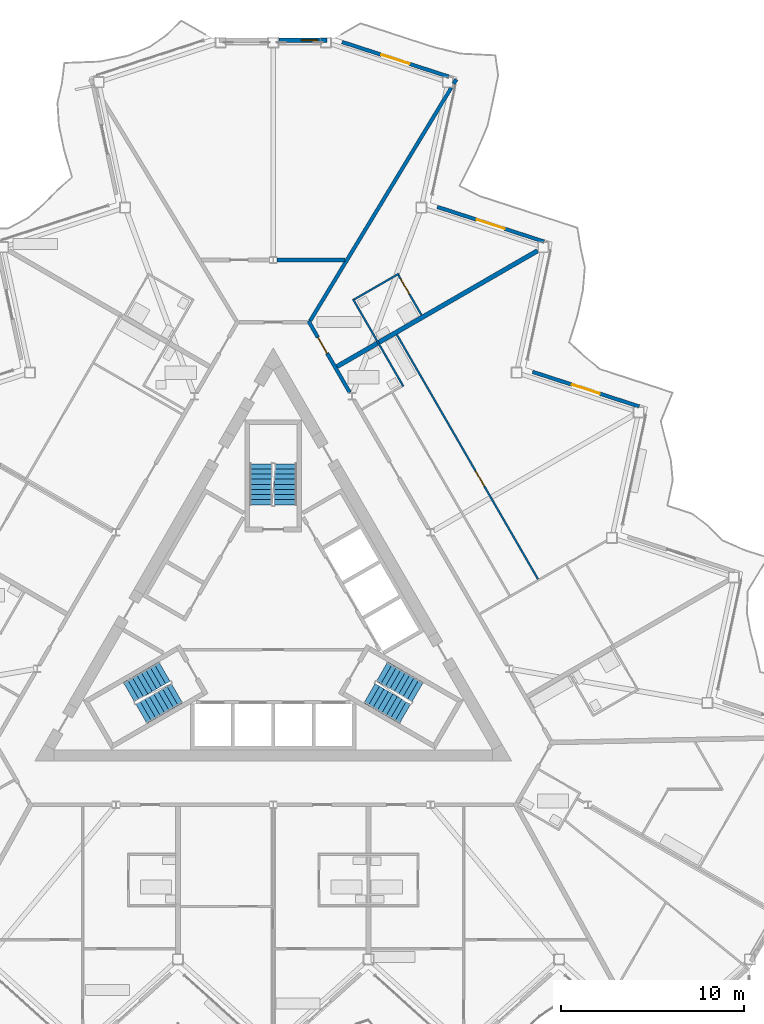
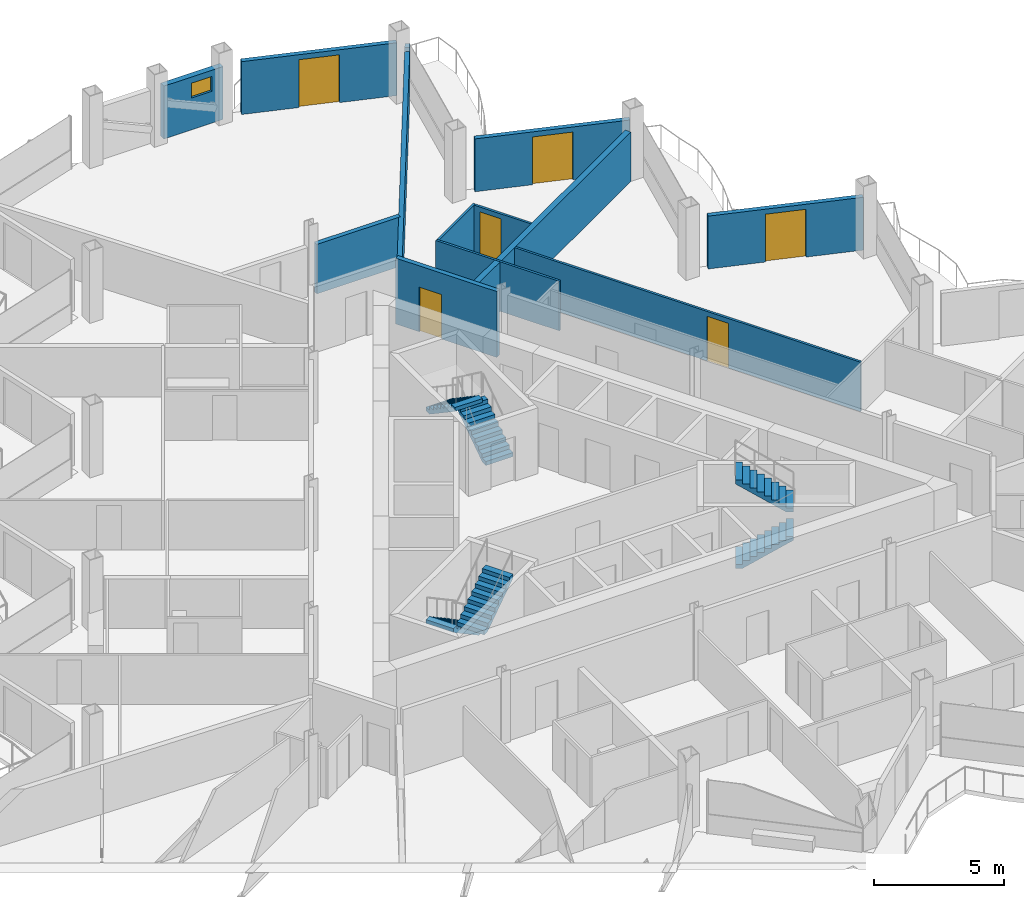
# One storey, part 19 of 27: 13 walls, 6 doors, 6 stair flights, 1 window, 7 openings, 3 elements without a shape of their own.
"""IFC4 building model written with IfcOpenShell, lengths in metres."""

from ifc_helpers import new_model, si_unit, direction, frame, frame_2d, origin, place, context, subcontext, project, spatial, polyline, rectangle, outline, extrude, material, layer, layer_set, type_object, element, fill, aggregate, save


model = new_model("IFC4")

# Units and contexts
model_context = context("Model", 3, precision=1e-05, world=origin(), true_north=direction((0.0, 1.0)))
body_context = subcontext(model_context, "Body", "Model", "MODEL_VIEW")
ifc_project = project(units=[si_unit("LENGTHUNIT", "METRE"), si_unit("AREAUNIT", "SQUARE_METRE"), si_unit("VOLUMEUNIT", "CUBIC_METRE"), si_unit("PLANEANGLEUNIT", "RADIAN"), si_unit("MASSUNIT", "GRAM", prefix="KILO")], contexts=[model_context])

# Site, building, storey
site_placement = place(None, origin())
site = spatial("IfcSite", under=ifc_project, at=site_placement, CompositionType="ELEMENT")
building_placement = place(site_placement, origin())
building = spatial("IfcBuilding", under=site, at=building_placement, Name="Cormorant Prow Tower", CompositionType="ELEMENT")
storey_placement = place(building_placement, frame((0.0, 0.0, 315.39990234375)))
storey = spatial("IfcBuildingStorey", under=building, at=storey_placement, Name="L69", CompositionType="ELEMENT", Elevation=315.39990234375)

# Wall, opening, door
ifc_material_1 = material(Name="Gypsum board corridor wall")
ifc_layer_1 = layer(ifc_material_1, 0.199951171875)
ifc_layer_set_1 = layer_set([ifc_layer_1], Name="Gypsum board corridor wall")
wall_type_1 = type_object("IfcWallType", Name="Corridor wall 200", PredefinedType="PARTITIONING", material=ifc_layer_set_1)
wall_1_placement = place(storey_placement, frame((1.9130859375, 16.497802734375, 0.0), z_axis=(0.0, 0.0, 1.0), x_axis=(0.499950370306, -0.866054055606, 0.0)))
wall_1 = element("IfcWall", 1, at=wall_1_placement, inside=storey, type_object=wall_type_1, Name="Corridor wall", PredefinedType="PARTITIONING", context=body_context, shape_type="SweptSolid", body=[
    extrude(rectangle(XDim=4.5126953125, YDim=0.199951171875, at=frame_2d((2.25634765625, 0.0))), origin(), (0.0, 0.0, 1.0), 3.10009765625),
])
opening_1_placement = place(wall_1_placement, frame((1.053466796875, 0.0, 0.0)))
opening_1 = element("IfcOpeningElement", 2, at=opening_1_placement, cuts=wall_1, Name="Opening L69-F31", PredefinedType="OPENING", context=body_context, shape_type="SweptSolid", body=[
    extrude(rectangle(XDim=1.0, YDim=2.10009765625, at=frame_2d((0.5, 1.050048828125))), frame((0.0, 0.10986328125, 0.0), z_axis=(0.0, -1.0, 0.0), x_axis=(1.0, 0.0, 0.0)), (0.0, 0.0, 1.0), 0.219970703125),
])
ifc_material_2 = material(Name="Timber door leaf", Category="wood")
door_type_1 = type_object("IfcDoorType", Name="Flat or room entrance door 1000x2100", OperationType="NOTDEFINED", PredefinedType="DOOR", material=ifc_material_2)
door_1_placement = place(opening_1_placement, origin())
door_1 = element("IfcDoor", 3, at=door_1_placement, inside=storey, type_object=door_type_1, Name="Studio living, kitchen and sleeping room door", OperationType="SINGLE_SWING_RIGHT", OverallHeight=2.10009765625, OverallWidth=1.0, PredefinedType="DOOR", context=body_context, shape_type="SweptSolid", body=[
    extrude(rectangle(XDim=1.0, YDim=2.10009765625, at=frame_2d((0.5, 1.050048828125))), frame((0.0, 0.02490234375, 0.0), z_axis=(0.0, -1.0, 0.0), x_axis=(1.0, 0.0, 0.0)), (0.0, 0.0, 1.0), 0.050048828125),
])
fill(opening_1, door_1)

# Walls
ifc_material_3 = material(Name="Gypsum board demising wall")
ifc_layer_2 = layer(ifc_material_3, 0.199951171875)
ifc_layer_set_2 = layer_set([ifc_layer_2], Name="Gypsum board demising wall")
wall_type_2 = type_object("IfcWallType", Name="Demising wall 200", PredefinedType="PARTITIONING", material=ifc_layer_set_2)
wall_2_placement = place(storey_placement, frame((2.014892578125, 16.49658203125, 0.0), z_axis=(0.0, 0.0, 1.0), x_axis=(0.517779253395, 0.855514257482, 0.0)))
element("IfcWall", 4, at=wall_2_placement, inside=storey, type_object=wall_type_2, Name="Demising wall", PredefinedType="PARTITIONING", context=body_context, shape_type="SweptSolid", body=[
    extrude(rectangle(XDim=14.853759765625, YDim=0.199951171875, at=frame_2d((7.4267578125, 0.0))), origin(), (0.0, 0.0, 1.0), 2.330078125),
])
wall_3_placement = place(storey_placement, frame((0.207763671875, 19.81103515625, 0.0), z_axis=(0.0, 0.0, 1.0), x_axis=(1.0, 0.0, 0.0)))
element("IfcWall", 5, at=wall_3_placement, inside=storey, type_object=wall_type_2, Name="Demising wall", PredefinedType="PARTITIONING", context=body_context, shape_type="SweptSolid", body=[
    extrude(rectangle(XDim=3.71826171875, YDim=0.199951171875, at=frame_2d((1.859130859375, 0.0))), origin(), (0.0, 0.0, 1.0), 2.330078125),
])
wall_4_placement = place(storey_placement, frame((9.83740234375, 29.421630859375, 0.0), z_axis=(0.0, 0.0, 1.0), x_axis=(0.517419338909, 0.855731983581, 0.0)))
element("IfcWall", 6, at=wall_4_placement, inside=storey, type_object=wall_type_2, Name="Demising wall", PredefinedType="PARTITIONING", context=body_context, shape_type="SweptSolid", body=[
    extrude(rectangle(XDim=0.2822265625, YDim=0.199951171875, at=frame_2d((0.14111328125, 0.0))), origin(), (0.0, 0.0, 1.0), 2.330078125),
])

# Wall, opening, door
ifc_material_4 = material(Name="Gypsum board partition")
ifc_layer_3 = layer(ifc_material_4, 0.10009765625)
ifc_layer_set_3 = layer_set([ifc_layer_3], Name="Gypsum board partition")
wall_type_3 = type_object("IfcWallType", Name="Internal partition 100", PredefinedType="PARTITIONING", material=ifc_layer_set_3)
wall_5_placement = place(storey_placement, frame((6.73974609375, 15.7392578125, 0.0), z_axis=(0.0, 0.0, 1.0), x_axis=(0.499995022685, -0.86602827742, 0.0)))
wall_5 = element("IfcWall", 7, at=wall_5_placement, inside=storey, type_object=wall_type_3, Name="Internal partition", PredefinedType="PARTITIONING", context=body_context, shape_type="SweptSolid", body=[
    extrude(rectangle(XDim=15.403564453125, YDim=0.10009765625, at=frame_2d((7.70166015625, 0.0))), origin(), (0.0, 0.0, 1.0), 2.330078125),
])
opening_2_placement = place(wall_5_placement, frame((8.58203125, 0.0, 0.0)))
opening_2 = element("IfcOpeningElement", 8, at=opening_2_placement, cuts=wall_5, Name="Opening L69-F28", PredefinedType="OPENING", context=body_context, shape_type="SweptSolid", body=[
    extrude(rectangle(XDim=0.949951171875, YDim=2.10009765625, at=frame_2d((0.47509765625, 1.050048828125))), frame((0.0, 0.06005859375, 0.0), z_axis=(0.0, -1.0, 0.0), x_axis=(1.0, 0.0, 0.0)), (0.0, 0.0, 1.0), 0.1201171875),
])
ifc_material_5 = material(Name="Timber door leaf", Category="wood")
door_type_2 = type_object("IfcDoorType", Name="Bathroom door 950x2100", OperationType="NOTDEFINED", PredefinedType="DOOR", material=ifc_material_5)
door_2_placement = place(opening_2_placement, origin())
door_2 = element("IfcDoor", 9, at=door_2_placement, inside=storey, type_object=door_type_2, Name="Kitchen door", OperationType="SINGLE_SWING_LEFT", OverallHeight=2.10009765625, OverallWidth=0.949951171875, PredefinedType="DOOR", context=body_context, shape_type="SweptSolid", body=[
    extrude(rectangle(XDim=0.949951171875, YDim=2.10009765625, at=frame_2d((0.47509765625, 1.050048828125))), frame((0.0, 0.02490234375, 0.0), z_axis=(0.0, -1.0, 0.0), x_axis=(1.0, 0.0, 0.0)), (0.0, 0.0, 1.0), 0.050048828125),
])
fill(opening_2, door_2)

# Walls
wall_6_placement = place(storey_placement, frame((4.348876953125, 17.6787109375, 0.0), z_axis=(0.0, 0.0, 1.0), x_axis=(0.49997732567, -0.866038494419, 0.0)))
element("IfcWall", 10, at=wall_6_placement, inside=storey, type_object=wall_type_3, Name="Internal partition", PredefinedType="PARTITIONING", context=body_context, shape_type="SweptSolid", body=[
    extrude(rectangle(XDim=5.500244140625, YDim=0.10009765625, at=frame_2d((2.75, 0.0))), origin(), (0.0, 0.0, 1.0), 2.330078125),
])
wall_7_placement = place(storey_placement, frame((4.417236328125, 17.660400390625, 0.0), z_axis=(0.0, 0.0, 1.0), x_axis=(0.866034573852, 0.49998411664, 0.0)))
element("IfcWall", 11, at=wall_7_placement, inside=storey, type_object=wall_type_3, Name="Internal partition", PredefinedType="PARTITIONING", context=body_context, shape_type="SweptSolid", body=[
    extrude(rectangle(XDim=2.7998046875, YDim=0.10009765625, at=frame_2d((1.39990234375, 0.0))), origin(), (0.0, 0.0, 1.0), 2.330078125),
])

# Wall, opening, door
wall_8_placement = place(storey_placement, frame((6.82373046875, 18.991943359375, 0.0), z_axis=(0.0, 0.0, 1.0), x_axis=(0.50001820224, -0.866014894461, 0.0)))
wall_8 = element("IfcWall", 12, at=wall_8_placement, inside=storey, type_object=wall_type_3, Name="Internal partition", PredefinedType="PARTITIONING", context=body_context, shape_type="SweptSolid", body=[
    extrude(rectangle(XDim=2.52490234375, YDim=0.10009765625, at=frame_2d((1.262451171875, 0.0))), origin(), (0.0, 0.0, 1.0), 2.330078125),
])
opening_3_placement = place(wall_8_placement, frame((0.25, 0.0, 0.0)))
opening_3 = element("IfcOpeningElement", 13, at=opening_3_placement, cuts=wall_8, Name="Opening L69-F32", PredefinedType="OPENING", context=body_context, shape_type="SweptSolid", body=[
    extrude(rectangle(XDim=0.949951171875, YDim=2.10009765625, at=frame_2d((0.47509765625, 1.050048828125))), frame((0.0, 0.06005859375, 0.0), z_axis=(0.0, -1.0, 0.0), x_axis=(1.0, 0.0, 0.0)), (0.0, 0.0, 1.0), 0.1201171875),
])
door_3_placement = place(opening_3_placement, origin())
door_3 = element("IfcDoor", 14, at=door_3_placement, inside=storey, type_object=door_type_2, Name="Studio living, kitchen and sleeping room door", OperationType="SINGLE_SWING_LEFT", OverallHeight=2.10009765625, OverallWidth=0.949951171875, PredefinedType="DOOR", context=body_context, shape_type="SweptSolid", body=[
    extrude(rectangle(XDim=0.949951171875, YDim=2.10009765625, at=frame_2d((0.47509765625, 1.050048828125))), frame((0.0, 0.02490234375, 0.0), z_axis=(0.0, -1.0, 0.0), x_axis=(1.0, 0.0, 0.0)), (0.0, 0.0, 1.0), 0.050048828125),
])
fill(opening_3, door_3)

# Wall
ifc_material_6 = material(Name="Acoustic gypsum party wall")
ifc_layer_4 = layer(ifc_material_6, 0.25)
ifc_layer_set_4 = layer_set([ifc_layer_4], Name="Acoustic gypsum party wall")
wall_type_4 = type_object("IfcWallType", Name="Suite party wall 250", PredefinedType="PARTITIONING", material=ifc_layer_set_4)
wall_9_placement = place(storey_placement, frame((3.47216796875, 13.9970703125, 0.0), z_axis=(0.0, 0.0, 1.0), x_axis=(0.866029233976, 0.499993365855, 0.0)))
element("IfcWall", 15, at=wall_9_placement, inside=storey, type_object=wall_type_4, Name="Suite party wall", PredefinedType="PARTITIONING", context=body_context, shape_type="SweptSolid", body=[
    extrude(rectangle(XDim=12.637451171875, YDim=0.25, at=frame_2d((6.31884765625, 0.0))), origin(), (0.0, 0.0, 1.0), 2.330078125),
])

# Wall, opening, window
ifc_material_7 = material(Name="Terracotta", Category="masonry")
ifc_layer_5 = layer(ifc_material_7, 0.25)
ifc_layer_set_5 = layer_set([ifc_layer_5], Name="Terracotta")
wall_type_5 = type_object("IfcWallType", Name="Terracotta bay wall 250", PredefinedType="SOLIDWALL", material=ifc_layer_set_5)
wall_10_placement = place(storey_placement, frame((2.940185546875, 31.803955078125, 0.0), z_axis=(0.0, 0.0, 1.0), x_axis=(-1.0, 0.0, 0.0)))
wall_10 = element("IfcWall", 16, at=wall_10_placement, inside=storey, type_object=wall_type_5, Name="Terracotta bay wall N00", PredefinedType="SOLIDWALL", context=body_context, shape_type="SweptSolid", body=[
    extrude(rectangle(XDim=2.64013671875, YDim=0.25, at=frame_2d((1.320068359375, 0.0))), origin(), (0.0, 0.0, 1.0), 2.488037109375),
])
opening_4_placement = place(wall_10_placement, frame((0.5, 0.0, 1.5)))
opening_4 = element("IfcOpeningElement", 17, at=opening_4_placement, cuts=wall_10, Name="Opening WN8", PredefinedType="OPENING", context=body_context, shape_type="SweptSolid", body=[
    extrude(rectangle(XDim=0.89990234375, YDim=0.699951171875, at=frame_2d((0.449951171875, 0.35009765625))), frame((0.0, 0.135009765625, 0.0), z_axis=(0.0, -1.0, 0.0), x_axis=(1.0, 0.0, 0.0)), (0.0, 0.0, 1.0), 0.27001953125),
])
ifc_material_8 = material(Name="Aluminium 6063-T6", Category="aluminium")
window_type = type_object("IfcWindowType", Name="Corner bay window 900x700", PartitioningType="SINGLE_PANEL", PredefinedType="WINDOW", material=ifc_material_8)
window_placement = place(opening_4_placement, origin())
window = element("IfcWindow", 18, at=window_placement, inside=storey, type_object=window_type, Name="Corner bay window N00", OverallHeight=0.699951171875, OverallWidth=0.89990234375, PartitioningType="SINGLE_PANEL", PredefinedType="WINDOW", context=body_context, shape_type="SweptSolid", body=[
    extrude(rectangle(XDim=0.89990234375, YDim=0.699951171875, at=frame_2d((0.449951171875, 0.35009765625))), frame((0.0, 0.030029296875, 0.0), z_axis=(0.0, -1.0, 0.0), x_axis=(1.0, 0.0, 0.0)), (0.0, 0.0, 1.0), 0.06005859375),
])
fill(opening_4, window)

# Wall, opening, door
ifc_material_9 = material(Name="Terracotta", Category="masonry")
ifc_layer_6 = layer(ifc_material_9, 0.199951171875)
ifc_layer_set_6 = layer_set([ifc_layer_6], Name="Terracotta")
wall_type_6 = type_object("IfcWallType", Name="Terracotta jamb wall 200", PredefinedType="SOLIDWALL", material=ifc_layer_set_6)
wall_11_placement = place(storey_placement, frame((19.961669921875, 11.820068359375, 0.0), z_axis=(0.0, 0.0, 1.0), x_axis=(-0.951053709789, 0.309025631781, 0.0)))
wall_11 = element("IfcWall", 19, at=wall_11_placement, inside=storey, type_object=wall_type_6, Name="Terracotta jamb wall ENE05", PredefinedType="SOLIDWALL", context=body_context, shape_type="SweptSolid", body=[
    extrude(rectangle(XDim=6.11962890625, YDim=0.199951171875, at=frame_2d((3.059814453125, 0.0))), origin(), (0.0, 0.0, 1.0), 2.488037109375),
])
opening_5_placement = place(wall_11_placement, frame((2.259765625, 0.0, 0.0)))
opening_5 = element("IfcOpeningElement", 20, at=opening_5_placement, cuts=wall_11, Name="Opening ED69.08", PredefinedType="OPENING", context=body_context, shape_type="SweptSolid", body=[
    extrude(rectangle(XDim=1.60009765625, YDim=2.25, at=frame_2d((0.800048828125, 1.125))), frame((0.0, 0.10986328125, 0.0), z_axis=(0.0, -1.0, 0.0), x_axis=(1.0, 0.0, 0.0)), (0.0, 0.0, 1.0), 0.219970703125),
])
ifc_material_10 = material(Name="Aluminium 6063-T6", Category="aluminium")
door_type_3 = type_object("IfcDoorType", Name="Balcony door 1600x2250", OperationType="DOUBLE_DOOR_SINGLE_SWING", PredefinedType="DOOR", material=ifc_material_10)
door_4_placement = place(opening_5_placement, origin())
door_4 = element("IfcDoor", 21, at=door_4_placement, inside=storey, type_object=door_type_3, Name="Balcony door ENE05 ED69.08", OperationType="DOUBLE_DOOR_SINGLE_SWING", OverallHeight=2.25, OverallWidth=1.60009765625, PredefinedType="DOOR", context=body_context, shape_type="SweptSolid", body=[
    extrude(rectangle(XDim=1.60009765625, YDim=2.25, at=frame_2d((0.800048828125, 1.125))), frame((0.0, 0.02490234375, 0.0), z_axis=(0.0, -1.0, 0.0), x_axis=(1.0, 0.0, 0.0)), (0.0, 0.0, 1.0), 0.050048828125),
])
fill(opening_5, door_4)

wall_12_placement = place(storey_placement, frame((14.76904296875, 20.814453125, 0.0), z_axis=(0.0, 0.0, 1.0), x_axis=(-0.951069243123, 0.308977822483, 0.0)))
wall_12 = element("IfcWall", 22, at=wall_12_placement, inside=storey, type_object=wall_type_6, Name="Terracotta jamb wall ENE07", PredefinedType="SOLIDWALL", context=body_context, shape_type="SweptSolid", body=[
    extrude(rectangle(XDim=6.119873046875, YDim=0.199951171875, at=frame_2d((3.06005859375, 0.0))), origin(), (0.0, 0.0, 1.0), 2.488037109375),
])
opening_6_placement = place(wall_12_placement, frame((2.259765625, 0.0, 0.0)))
opening_6 = element("IfcOpeningElement", 23, at=opening_6_placement, cuts=wall_12, Name="Opening ED69.09", PredefinedType="OPENING", context=body_context, shape_type="SweptSolid", body=[
    extrude(rectangle(XDim=1.60009765625, YDim=2.25, at=frame_2d((0.800048828125, 1.125))), frame((0.0, 0.10986328125, 0.0), z_axis=(0.0, -1.0, 0.0), x_axis=(1.0, 0.0, 0.0)), (0.0, 0.0, 1.0), 0.219970703125),
])
door_5_placement = place(opening_6_placement, origin())
door_5 = element("IfcDoor", 24, at=door_5_placement, inside=storey, type_object=door_type_3, Name="Balcony door ENE07 ED69.09", OperationType="DOUBLE_DOOR_SINGLE_SWING", OverallHeight=2.25, OverallWidth=1.60009765625, PredefinedType="DOOR", context=body_context, shape_type="SweptSolid", body=[
    extrude(rectangle(XDim=1.60009765625, YDim=2.25, at=frame_2d((0.800048828125, 1.125))), frame((0.0, 0.02490234375, 0.0), z_axis=(0.0, -1.0, 0.0), x_axis=(1.0, 0.0, 0.0)), (0.0, 0.0, 1.0), 0.050048828125),
])
fill(opening_6, door_5)

wall_13_placement = place(storey_placement, frame((9.576171875, 29.80859375, 0.0), z_axis=(0.0, 0.0, 1.0), x_axis=(-0.951053709789, 0.309025631781, 0.0)))
wall_13 = element("IfcWall", 25, at=wall_13_placement, inside=storey, type_object=wall_type_6, Name="Terracotta jamb wall ENE09", PredefinedType="SOLIDWALL", context=body_context, shape_type="SweptSolid", body=[
    extrude(rectangle(XDim=6.11962890625, YDim=0.199951171875, at=frame_2d((3.059814453125, 0.0))), origin(), (0.0, 0.0, 1.0), 2.488037109375),
])
opening_7_placement = place(wall_13_placement, frame((2.259765625, 0.0, 0.0)))
opening_7 = element("IfcOpeningElement", 26, at=opening_7_placement, cuts=wall_13, Name="Opening ED69.10", PredefinedType="OPENING", context=body_context, shape_type="SweptSolid", body=[
    extrude(rectangle(XDim=1.60009765625, YDim=2.25, at=frame_2d((0.800048828125, 1.125))), frame((0.0, 0.10986328125, 0.0), z_axis=(0.0, -1.0, 0.0), x_axis=(1.0, 0.0, 0.0)), (0.0, 0.0, 1.0), 0.219970703125),
])
door_6_placement = place(opening_7_placement, origin())
door_6 = element("IfcDoor", 27, at=door_6_placement, inside=storey, type_object=door_type_3, Name="Balcony door ENE09 ED69.10", OperationType="DOUBLE_DOOR_SINGLE_SWING", OverallHeight=2.25, OverallWidth=1.60009765625, PredefinedType="DOOR", context=body_context, shape_type="SweptSolid", body=[
    extrude(rectangle(XDim=1.60009765625, YDim=2.25, at=frame_2d((0.800048828125, 1.125))), frame((0.0, 0.02490234375, 0.0), z_axis=(0.0, -1.0, 0.0), x_axis=(1.0, 0.0, 0.0)), (0.0, 0.0, 1.0), 0.050048828125),
])
fill(opening_7, door_6)

# Stair, stair flights
ifc_material_11 = material(Name="Exit stair 18 risers")
stair_type = type_object("IfcStairType", Name="Exit stair 18 risers", PredefinedType="HALF_TURN_STAIR", material=ifc_material_11)
stair_1_placement = place(storey_placement, origin())
stair_1 = element("IfcStair", 28, at=stair_1_placement, inside=storey, type_object=stair_type, Name="L69 Exit stair ST1", PredefinedType="HALF_TURN_STAIR")
ifc_material_12 = material(Name="Concrete 5000 psi", Category="concrete")
stair_flight_type = type_object("IfcStairFlightType", Name="Stair flight 1219", PredefinedType="STRAIGHT", material=ifc_material_12)
stair_flight_1_placement = place(storey_placement, frame((-5.93310546875, -2.635009765625, 0.0), z_axis=(0.0, 0.0, 1.0), x_axis=(-0.866025403784, -0.5, 0.0)))
stair_flight_1 = element("IfcStairFlight", 29, at=stair_flight_1_placement, type_object=stair_flight_type, Name="ST1 flight 1", NumberOfRisers=9, NumberOfTreads=8, PredefinedType="STRAIGHT", RiserHeight=0.188888889, TreadLength=0.28, context=body_context, shape_type="SweptSolid", body=[
    extrude(outline(polyline([(0.0, 0.0), (0.0, 0.18896484375), (0.280029296875, 0.18896484375), (0.280029296875, 0.377685546875), (0.56005859375, 0.377685546875), (0.56005859375, 0.566650390625), (0.840087890625, 0.566650390625), (0.840087890625, 0.755615234375), (1.1201171875, 0.755615234375), (1.1201171875, 0.9443359375), (1.39990234375, 0.9443359375), (1.39990234375, 1.13330078125), (1.679931640625, 1.13330078125), (1.679931640625, 1.322265625), (1.9599609375, 1.322265625), (1.9599609375, 1.51123046875), (2.239990234375, 1.51123046875), (2.239990234375, 1.699951171875), (2.239990234375, 1.330322265625), (0.26806640625, 0.0), (0.0, 0.0)])), frame((0.0, 0.609375, 0.0), z_axis=(0.0, -1.0, 0.0), x_axis=(1.0, 0.0, 0.0)), (0.0, 0.0, 1.0), 1.218994140625),
])
stair_flight_2_placement = place(storey_placement, frame((-7.1884765625, -4.940673828125, 1.7001953125), z_axis=(0.0, 0.0, 1.0), x_axis=(0.866025403784, 0.5, 0.0)))
stair_flight_2 = element("IfcStairFlight", 30, at=stair_flight_2_placement, type_object=stair_flight_type, Name="ST1 flight 2", NumberOfRisers=9, NumberOfTreads=8, PredefinedType="STRAIGHT", RiserHeight=0.188888889, TreadLength=0.28, context=body_context, shape_type="SweptSolid", body=[
    extrude(outline(polyline([(0.0, 0.0), (0.0, 0.18896484375), (0.280029296875, 0.18896484375), (0.280029296875, 0.377685546875), (0.56005859375, 0.377685546875), (0.56005859375, 0.566650390625), (0.840087890625, 0.566650390625), (0.840087890625, 0.755615234375), (1.1201171875, 0.755615234375), (1.1201171875, 0.9443359375), (1.39990234375, 0.9443359375), (1.39990234375, 1.13330078125), (1.679931640625, 1.13330078125), (1.679931640625, 1.322265625), (1.9599609375, 1.322265625), (1.9599609375, 1.51123046875), (2.239990234375, 1.51123046875), (2.239990234375, 1.699951171875), (2.239990234375, 1.330322265625), (0.26806640625, 0.0), (0.0, 0.0)])), frame((0.0, 0.609375, 0.0), z_axis=(0.0, -1.0, 0.0), x_axis=(1.0, 0.0, 0.0)), (0.0, 0.0, 1.0), 1.218994140625),
])
aggregate(stair_1, [stair_flight_1, stair_flight_2])

stair_2_placement = place(storey_placement, origin())
stair_2 = element("IfcStair", 31, at=stair_2_placement, inside=storey, type_object=stair_type, Name="L69 Exit stair ST2", PredefinedType="HALF_TURN_STAIR")
stair_flight_3_placement = place(storey_placement, frame((5.24853515625, -3.82080078125, 0.0), z_axis=(0.0, 0.0, 1.0), x_axis=(0.866025403784, -0.5, 0.0)))
stair_flight_3 = element("IfcStairFlight", 32, at=stair_flight_3_placement, type_object=stair_flight_type, Name="ST2 flight 1", NumberOfRisers=9, NumberOfTreads=8, PredefinedType="STRAIGHT", RiserHeight=0.188888889, TreadLength=0.28, context=body_context, shape_type="SweptSolid", body=[
    extrude(outline(polyline([(0.0, 0.0), (0.0, 0.18896484375), (0.280029296875, 0.18896484375), (0.280029296875, 0.377685546875), (0.56005859375, 0.377685546875), (0.56005859375, 0.566650390625), (0.840087890625, 0.566650390625), (0.840087890625, 0.755615234375), (1.1201171875, 0.755615234375), (1.1201171875, 0.9443359375), (1.39990234375, 0.9443359375), (1.39990234375, 1.13330078125), (1.679931640625, 1.13330078125), (1.679931640625, 1.322265625), (1.9599609375, 1.322265625), (1.9599609375, 1.51123046875), (2.239990234375, 1.51123046875), (2.239990234375, 1.699951171875), (2.239990234375, 1.330322265625), (0.26806640625, 0.0), (0.0, 0.0)])), frame((0.0, 0.609375, 0.0), z_axis=(0.0, -1.0, 0.0), x_axis=(1.0, 0.0, 0.0)), (0.0, 0.0, 1.0), 1.218994140625),
])
stair_flight_4_placement = place(storey_placement, frame((7.873046875, -3.755126953125, 1.7001953125), z_axis=(0.0, 0.0, 1.0), x_axis=(-0.866025403784, 0.5, 0.0)))
stair_flight_4 = element("IfcStairFlight", 33, at=stair_flight_4_placement, type_object=stair_flight_type, Name="ST2 flight 2", NumberOfRisers=9, NumberOfTreads=8, PredefinedType="STRAIGHT", RiserHeight=0.188888889, TreadLength=0.28, context=body_context, shape_type="SweptSolid", body=[
    extrude(outline(polyline([(0.0, 0.0), (0.0, 0.18896484375), (0.280029296875, 0.18896484375), (0.280029296875, 0.377685546875), (0.56005859375, 0.377685546875), (0.56005859375, 0.566650390625), (0.840087890625, 0.566650390625), (0.840087890625, 0.755615234375), (1.1201171875, 0.755615234375), (1.1201171875, 0.9443359375), (1.39990234375, 0.9443359375), (1.39990234375, 1.13330078125), (1.679931640625, 1.13330078125), (1.679931640625, 1.322265625), (1.9599609375, 1.322265625), (1.9599609375, 1.51123046875), (2.239990234375, 1.51123046875), (2.239990234375, 1.699951171875), (2.239990234375, 1.330322265625), (0.26806640625, 0.0), (0.0, 0.0)])), frame((0.0, 0.609375, 0.0), z_axis=(0.0, -1.0, 0.0), x_axis=(1.0, 0.0, 0.0)), (0.0, 0.0, 1.0), 1.218994140625),
])
aggregate(stair_2, [stair_flight_3, stair_flight_4])

stair_3_placement = place(storey_placement, origin())
stair_3 = element("IfcStair", 34, at=stair_3_placement, inside=storey, type_object=stair_type, Name="L69 Exit stair ST3", PredefinedType="HALF_TURN_STAIR")
stair_flight_5_placement = place(storey_placement, frame((0.6845703125, 6.455810546875, 0.0), z_axis=(0.0, 0.0, 1.0), x_axis=(0.0, 1.0, 0.0)))
stair_flight_5 = element("IfcStairFlight", 35, at=stair_flight_5_placement, type_object=stair_flight_type, Name="ST3 flight 1", NumberOfRisers=9, NumberOfTreads=8, PredefinedType="STRAIGHT", RiserHeight=0.188888889, TreadLength=0.28, context=body_context, shape_type="SweptSolid", body=[
    extrude(outline(polyline([(0.0, 0.0), (0.0, 0.18896484375), (0.280029296875, 0.18896484375), (0.280029296875, 0.377685546875), (0.56005859375, 0.377685546875), (0.56005859375, 0.566650390625), (0.840087890625, 0.566650390625), (0.840087890625, 0.755615234375), (1.1201171875, 0.755615234375), (1.1201171875, 0.9443359375), (1.39990234375, 0.9443359375), (1.39990234375, 1.13330078125), (1.679931640625, 1.13330078125), (1.679931640625, 1.322265625), (1.9599609375, 1.322265625), (1.9599609375, 1.51123046875), (2.239990234375, 1.51123046875), (2.239990234375, 1.699951171875), (2.239990234375, 1.330322265625), (0.26806640625, 0.0), (0.0, 0.0)])), frame((0.0, 0.609375, 0.0), z_axis=(0.0, -1.0, 0.0), x_axis=(1.0, 0.0, 0.0)), (0.0, 0.0, 1.0), 1.218994140625),
])
stair_flight_6_placement = place(storey_placement, frame((-0.6845703125, 8.69580078125, 1.7001953125), z_axis=(0.0, 0.0, 1.0), x_axis=(0.0, -1.0, 0.0)))
stair_flight_6 = element("IfcStairFlight", 36, at=stair_flight_6_placement, type_object=stair_flight_type, Name="ST3 flight 2", NumberOfRisers=9, NumberOfTreads=8, PredefinedType="STRAIGHT", RiserHeight=0.188888889, TreadLength=0.28, context=body_context, shape_type="SweptSolid", body=[
    extrude(outline(polyline([(0.0, 0.0), (0.0, 0.18896484375), (0.280029296875, 0.18896484375), (0.280029296875, 0.377685546875), (0.56005859375, 0.377685546875), (0.56005859375, 0.566650390625), (0.840087890625, 0.566650390625), (0.840087890625, 0.755615234375), (1.1201171875, 0.755615234375), (1.1201171875, 0.9443359375), (1.39990234375, 0.9443359375), (1.39990234375, 1.13330078125), (1.679931640625, 1.13330078125), (1.679931640625, 1.322265625), (1.9599609375, 1.322265625), (1.9599609375, 1.51123046875), (2.239990234375, 1.51123046875), (2.239990234375, 1.699951171875), (2.239990234375, 1.330322265625), (0.26806640625, 0.0), (0.0, 0.0)])), frame((0.0, 0.609375, 0.0), z_axis=(0.0, -1.0, 0.0), x_axis=(1.0, 0.0, 0.0)), (0.0, 0.0, 1.0), 1.218994140625),
])
aggregate(stair_3, [stair_flight_5, stair_flight_6])

save(model, "model.ifc")
